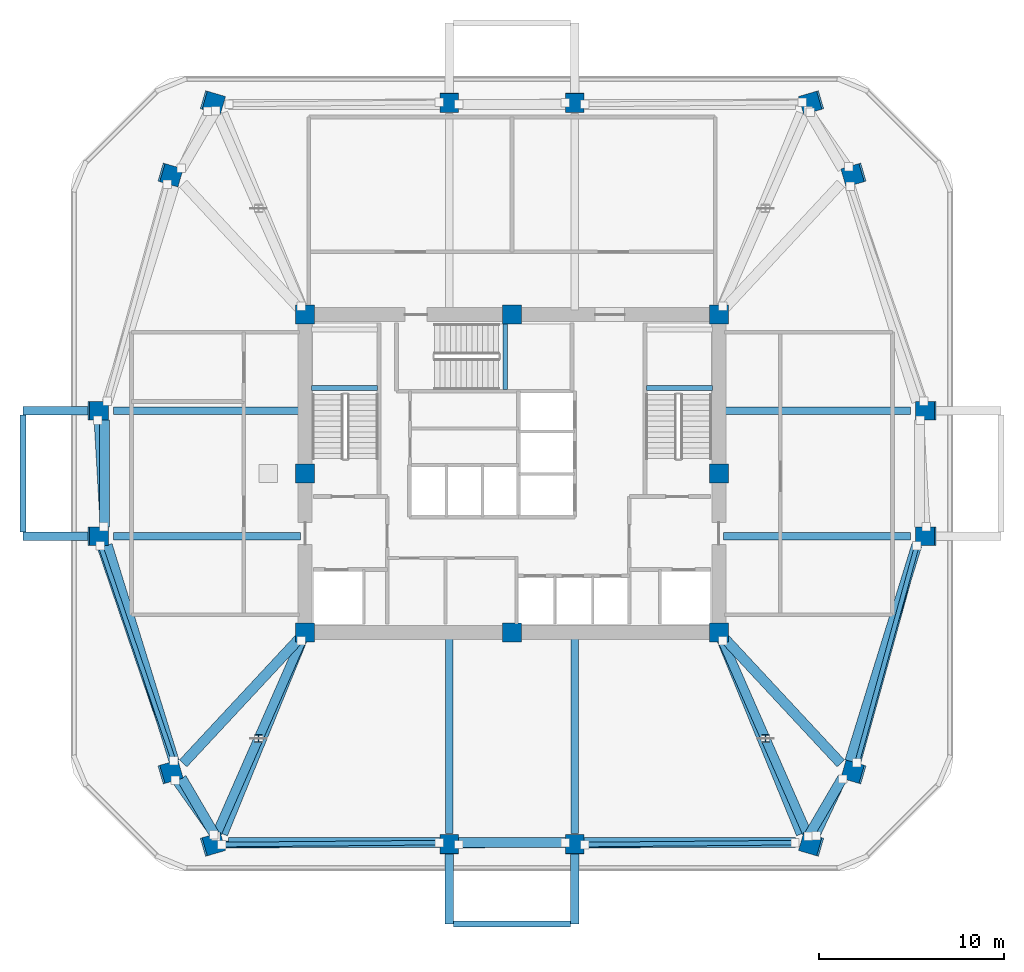
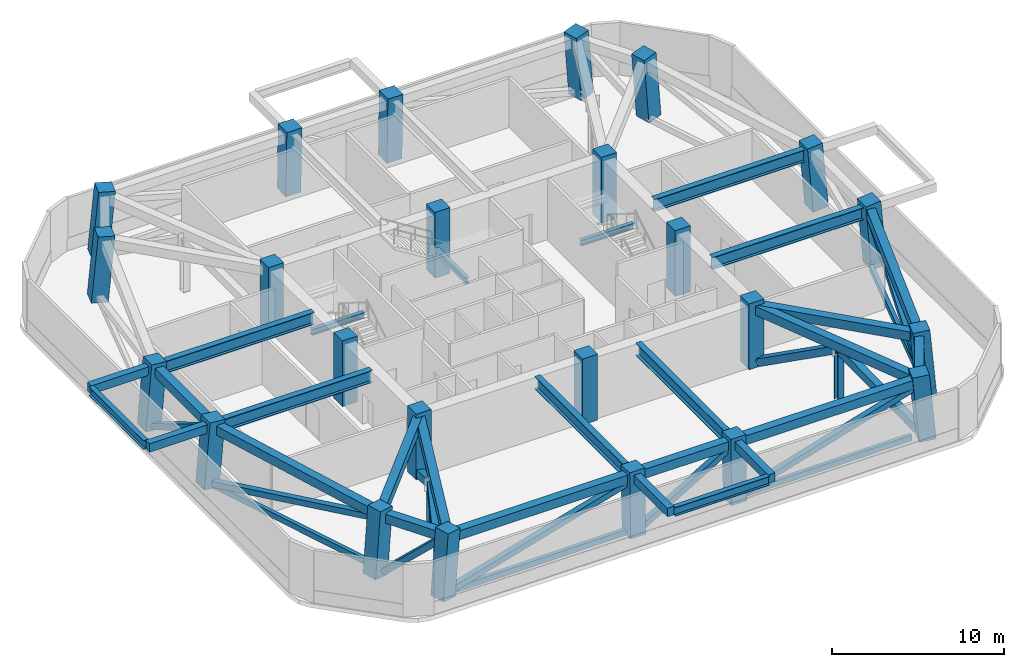
# One storey, part 1 of 8: 27 beams, 24 columns, 18 members.
"""IFC4 building model written with IfcOpenShell, lengths in metres."""

from ifc_helpers import new_model, si_unit, derived_unit, direction, frame, origin, origin_2d, place, context, subcontext, project, spatial, rectangle, hollow_rectangle, i_section, extrude, material, material_profile, profile_set, type_object, element, save


model = new_model("IFC4")

# Units and contexts
model_context = context("Model", 3, precision=1e-05, world=origin(), true_north=direction((0.0, 1.0)))
body_context = subcontext(model_context, "Body", "Model", "MODEL_VIEW")
ifc_project = project(units=[si_unit("LENGTHUNIT", "METRE"), si_unit("AREAUNIT", "SQUARE_METRE"), si_unit("VOLUMEUNIT", "CUBIC_METRE"), si_unit("PLANEANGLEUNIT", "RADIAN"), si_unit("MASSUNIT", "GRAM", prefix="KILO"), derived_unit("THERMALTRANSMITTANCEUNIT", [(si_unit("POWERUNIT", "WATT"), 1), (si_unit("LENGTHUNIT", "METRE"), -2), (si_unit("THERMODYNAMICTEMPERATUREUNIT", "KELVIN"), -1)])], contexts=[model_context])

# Site, building, storey
site_placement = place(None, origin())
site = spatial("IfcSite", under=ifc_project, at=site_placement, CompositionType="ELEMENT")
building_placement = place(site_placement, origin())
building = spatial("IfcBuilding", under=site, at=building_placement, Name="Koralith Skygarden Medical Center", CompositionType="ELEMENT")
storey_placement = place(building_placement, frame((0.0, 0.0, 124.3798828125)))
storey = spatial("IfcBuildingStorey", under=building, at=storey_placement, Name="L32", CompositionType="ELEMENT", Elevation=124.3798828125)

# Columns
ifc_material_1 = material(Name="Concrete C70/85", Category="concrete")
ifc_material_profile_1 = material_profile(ifc_material_1, rectangle(XDim=1.02001953125, YDim=1.02001953125, at=origin_2d()), Name="RC1020X1020")
ifc_profile_set_1 = profile_set([ifc_material_profile_1], Name="Concrete C70/85")
column_type_1 = type_object("IfcColumnType", Name="Core Mega-Column C70 RC1020", PredefinedType="COLUMN", material=ifc_profile_set_1)
for number, where, z_axis, x_axis, name in (
    (1, (25.800048828125, 17.300048828125, 0.0), (0.0, 0.0, 1.0), (1.0, 0.0, 0.0), "L32 Core Column CC-01"),
    (2, (37.0, 17.300048828125, 0.0), (0.0, 0.0, 1.0), (1.0, 0.0, 0.0), "L32 Core Column CC-02"),
    (3, (48.199951171875, 17.300048828125, 0.0), (0.0, 0.0, 1.0), (1.0, 0.0, 0.0), "L32 Core Column CC-03"),
    (4, (48.199951171875, 25.89990234375, 0.0), (0.0, 0.0, 1.0), (1.0, 0.0, 0.0), "L32 Core Column CC-04"),
    (5, (48.199951171875, 34.5, 0.0), (0.0, 0.0, 1.0), (1.0, 0.0, 0.0), "L32 Core Column CC-05"),
    (6, (37.0, 34.5, 0.0), (0.0, 0.0, 1.0), (1.0, 0.0, 0.0), "L32 Core Column CC-06"),
    (7, (25.800048828125, 34.5, 0.0), (0.0, 0.0, 1.0), (1.0, 0.0, 0.0), "L32 Core Column CC-07"),
    (8, (25.800048828125, 25.89990234375, 0.0), (0.0, 0.0, 1.0), (1.0, 0.0, 0.0), "L32 Core Column CC-08"),
):
    element("IfcColumn", number, at=place(storey_placement, frame(where, z_axis=z_axis, x_axis=x_axis)), inside=storey, type_object=column_type_1, Name=name, PredefinedType="COLUMN", context=body_context, shape_type="SweptSolid", body=[
        extrude(rectangle(XDim=1.02001953125, YDim=1.02001953125, at=origin_2d()), origin(), (0.0, 0.0, 1.0), 4.68017578125),
    ])
ifc_material_profile_2 = material_profile(ifc_material_1, rectangle(XDim=1.02001953125, YDim=1.02001953125, at=origin_2d()), Name="RC1020X1020")
ifc_profile_set_2 = profile_set([ifc_material_profile_2], Name="Concrete C70/85")
column_type_2 = type_object("IfcColumnType", Name="Zone 2 Waist-In Mega-Column C70 RC1020", PredefinedType="COLUMN", material=ifc_profile_set_2)
column_1_placement = place(storey_placement, frame((14.54296875, 22.5, 0.02099609375), z_axis=(0.084443076686, 0.0, 0.996428304897), x_axis=(0.0, 1.0, 0.0)))
element("IfcColumn", 9, at=column_1_placement, inside=storey, type_object=column_type_2, Name="L32 Perimeter Mega-Column MC-01", PredefinedType="COLUMN", context=body_context, shape_type="SweptSolid", body=[
    extrude(rectangle(XDim=1.02001953125, YDim=1.02001953125, at=origin_2d()), origin(), (0.0, 0.0, 1.0), 4.65478515625),
])
for number, where, z_axis, x_axis, name in (
    (10, (18.462890625, 9.72509765625, 0.02099609375), (0.084417322164, 0.024695999217, 0.996124401539), (-0.280778218045, 0.959772677394, 0.0), "L32 Perimeter Mega-Column MC-02"),
    (11, (20.7548828125, 5.804931640625, 0.02099609375), (0.084417322164, 0.024695999217, 0.996124401539), (-0.280778218045, 0.959772677394, 0.0), "L32 Perimeter Mega-Column MC-03"),
):
    element("IfcColumn", number, at=place(storey_placement, frame(where, z_axis=z_axis, x_axis=x_axis)), inside=storey, type_object=column_type_2, Name=name, PredefinedType="COLUMN", context=body_context, shape_type="SweptSolid", body=[
        extrude(rectangle(XDim=1.02001953125, YDim=1.02001953125, at=origin_2d()), origin(), (0.0, 0.0, 1.0), 4.65625),
    ])
for number, where, z_axis, x_axis, name in (
    (12, (33.60009765625, 5.804931640625, 0.02099609375), (0.0, 0.024784467693, 0.9996928179), (-1.0, 0.0, 0.0), "L32 Perimeter Mega-Column MC-04"),
    (13, (40.39990234375, 5.804931640625, 0.02099609375), (0.0, 0.024784467693, 0.9996928179), (-1.0, 0.0, 0.0), "L32 Perimeter Mega-Column MC-05"),
):
    element("IfcColumn", number, at=place(storey_placement, frame(where, z_axis=z_axis, x_axis=x_axis)), inside=storey, type_object=column_type_2, Name=name, PredefinedType="COLUMN", context=body_context, shape_type="SweptSolid", body=[
        extrude(rectangle(XDim=1.02001953125, YDim=1.02001953125, at=origin_2d()), origin(), (0.0, 0.0, 1.0), 4.6396484375),
    ])
for number, where, z_axis, x_axis, name in (
    (14, (53.2451171875, 5.804931640625, 0.02099609375), (-0.084417322164, 0.024695999217, 0.996124401539), (-0.280778218045, -0.959772677394, 0.0), "L32 Perimeter Mega-Column MC-06"),
    (15, (55.537109375, 9.72509765625, 0.02099609375), (-0.084417322164, 0.024695999217, 0.996124401539), (-0.280778218045, -0.959772677394, 0.0), "L32 Perimeter Mega-Column MC-07"),
):
    element("IfcColumn", number, at=place(storey_placement, frame(where, z_axis=z_axis, x_axis=x_axis)), inside=storey, type_object=column_type_2, Name=name, PredefinedType="COLUMN", context=body_context, shape_type="SweptSolid", body=[
        extrude(rectangle(XDim=1.02001953125, YDim=1.02001953125, at=origin_2d()), origin(), (0.0, 0.0, 1.0), 4.65625),
    ])
for number, where, z_axis, x_axis, name in (
    (16, (59.45703125, 22.5, 0.02099609375), (-0.084443076686, 0.0, 0.996428304897), (0.0, -1.0, 0.0), "L32 Perimeter Mega-Column MC-08"),
    (17, (59.45703125, 29.300048828125, 0.02099609375), (-0.084443076686, 0.0, 0.996428304897), (0.0, -1.0, 0.0), "L32 Perimeter Mega-Column MC-09"),
):
    element("IfcColumn", number, at=place(storey_placement, frame(where, z_axis=z_axis, x_axis=x_axis)), inside=storey, type_object=column_type_2, Name=name, PredefinedType="COLUMN", context=body_context, shape_type="SweptSolid", body=[
        extrude(rectangle(XDim=1.02001953125, YDim=1.02001953125, at=origin_2d()), origin(), (0.0, 0.0, 1.0), 4.65478515625),
    ])
for number, where, z_axis, x_axis, name in (
    (18, (55.537109375, 42.074951171875, 0.02099609375), (-0.084417322164, -0.024695999217, 0.996124401539), (0.280778218045, -0.959772677394, 0.0), "L32 Perimeter Mega-Column MC-10"),
    (19, (53.2451171875, 45.9951171875, 0.02099609375), (-0.084417212737, -0.024748400256, 0.996123110302), (0.281327215298, -0.959611899641, 0.0), "L32 Perimeter Mega-Column MC-11"),
):
    element("IfcColumn", number, at=place(storey_placement, frame(where, z_axis=z_axis, x_axis=x_axis)), inside=storey, type_object=column_type_2, Name=name, PredefinedType="COLUMN", context=body_context, shape_type="SweptSolid", body=[
        extrude(rectangle(XDim=1.02001953125, YDim=1.02001953125, at=origin_2d()), origin(), (0.0, 0.0, 1.0), 4.65625),
    ])
for number, where, z_axis, x_axis, name in (
    (20, (40.39990234375, 45.9951171875, 0.02099609375), (0.0, -0.024837056217, 0.999691512737), (1.0, 0.0, 0.0), "L32 Perimeter Mega-Column MC-12"),
    (21, (33.60009765625, 45.9951171875, 0.02099609375), (0.0, -0.024837056217, 0.999691512737), (1.0, 0.0, 0.0), "L32 Perimeter Mega-Column MC-13"),
):
    element("IfcColumn", number, at=place(storey_placement, frame(where, z_axis=z_axis, x_axis=x_axis)), inside=storey, type_object=column_type_2, Name=name, PredefinedType="COLUMN", context=body_context, shape_type="SweptSolid", body=[
        extrude(rectangle(XDim=1.02001953125, YDim=1.02001953125, at=origin_2d()), origin(), (0.0, 0.0, 1.0), 4.6396484375),
    ])
for number, where, z_axis, x_axis, name in (
    (22, (20.7548828125, 45.9951171875, 0.02099609375), (0.084417212737, -0.024748400256, 0.996123110302), (0.281327215298, 0.959611899641, 0.0), "L32 Perimeter Mega-Column MC-14"),
    (23, (18.462890625, 42.074951171875, 0.02099609375), (0.084417322164, -0.024695999217, 0.996124401539), (0.280778218045, 0.959772677394, 0.0), "L32 Perimeter Mega-Column MC-15"),
):
    element("IfcColumn", number, at=place(storey_placement, frame(where, z_axis=z_axis, x_axis=x_axis)), inside=storey, type_object=column_type_2, Name=name, PredefinedType="COLUMN", context=body_context, shape_type="SweptSolid", body=[
        extrude(rectangle(XDim=1.02001953125, YDim=1.02001953125, at=origin_2d()), origin(), (0.0, 0.0, 1.0), 4.65625),
    ])
column_2_placement = place(storey_placement, frame((14.54296875, 29.300048828125, 0.02099609375), z_axis=(0.084443076686, 0.0, 0.996428304897), x_axis=(0.0, 1.0, 0.0)))
element("IfcColumn", 24, at=column_2_placement, inside=storey, type_object=column_type_2, Name="L32 Perimeter Mega-Column MC-16", PredefinedType="COLUMN", context=body_context, shape_type="SweptSolid", body=[
    extrude(rectangle(XDim=1.02001953125, YDim=1.02001953125, at=origin_2d()), origin(), (0.0, 0.0, 1.0), 4.65478515625),
])

# Members
ifc_material_2 = material(Name="Steel ASTM A500 Grade C", Category="steel")
ifc_material_profile_3 = material_profile(ifc_material_2, hollow_rectangle(XDim=0.25, YDim=0.39990234375, WallThickness=0.01611328125, at=origin_2d()), Name="HSS400X250X16")
ifc_profile_set_3 = profile_set([ifc_material_profile_3], Name="Steel ASTM A500 Grade C")
member_type_1 = type_object("IfcMemberType", Name="Belt Truss Chord Member HSS400X250X16", PredefinedType="CHORD", material=ifc_profile_set_3)
member_1_placement = place(storey_placement, frame((14.714111328125, 21.998046875, 0.22021484375), z_axis=(0.322478132983, -0.946576913804, 0.0), x_axis=(0.946576913804, 0.322478132983, 0.0)))
element("IfcMember", 25, at=member_1_placement, inside=storey, type_object=member_type_1, Name="L32 Belt Truss Bottom Chord BTC-01", PredefinedType="CHORD", context=body_context, shape_type="SweptSolid", body=[
    extrude(hollow_rectangle(XDim=0.25, YDim=0.39990234375, WallThickness=0.01611328125, at=origin_2d()), origin(), (0.0, 0.0, 1.0), 12.31396484375),
])
member_2_placement = place(storey_placement, frame((21.284912109375, 5.81005859375, 0.22021484375), z_axis=(0.999960327416, 0.008907502088, 0.0), x_axis=(-0.008907502088, 0.999960327416, 0.0)))
element("IfcMember", 26, at=member_2_placement, inside=storey, type_object=member_type_1, Name="L32 Belt Truss Bottom Chord BTC-03", PredefinedType="CHORD", context=body_context, shape_type="SweptSolid", body=[
    extrude(hollow_rectangle(XDim=0.25, YDim=0.39990234375, WallThickness=0.01611328125, at=origin_2d()), origin(), (0.0, 0.0, 1.0), 11.78564453125),
])
member_3_placement = place(storey_placement, frame((40.929931640625, 5.81005859375, 0.22021484375), z_axis=(0.999957542682, 0.009214815982, 0.0), x_axis=(-0.009214815982, 0.999957542682, 0.0)))
element("IfcMember", 27, at=member_3_placement, inside=storey, type_object=member_type_1, Name="L32 Belt Truss Bottom Chord BTC-05", PredefinedType="CHORD", context=body_context, shape_type="SweptSolid", body=[
    extrude(hollow_rectangle(XDim=0.25, YDim=0.39990234375, WallThickness=0.01611328125, at=origin_2d()), origin(), (0.0, 0.0, 1.0), 11.392578125),
])
member_4_placement = place(storey_placement, frame((55.677978515625, 10.236083984375, 0.22021484375), z_axis=(0.266152280605, 0.963930995211, 0.0), x_axis=(-0.963930995211, 0.266152280605, 0.0)))
element("IfcMember", 28, at=member_4_placement, inside=storey, type_object=member_type_1, Name="L32 Belt Truss Bottom Chord BTC-07", PredefinedType="CHORD", context=body_context, shape_type="SweptSolid", body=[
    extrude(hollow_rectangle(XDim=0.25, YDim=0.39990234375, WallThickness=0.01611328125, at=origin_2d()), origin(), (0.0, 0.0, 1.0), 12.192626953125),
])
ifc_material_profile_4 = material_profile(ifc_material_2, hollow_rectangle(XDim=0.39990234375, YDim=0.39990234375, WallThickness=0.01806640625, at=origin_2d()), Name="HSS400X400X18")
ifc_profile_set_4 = profile_set([ifc_material_profile_4], Name="Steel ASTM A500 Grade C")
member_type_2 = type_object("IfcMemberType", Name="Belt Truss Diagonal HSS400X400X18", PredefinedType="BRACE", material=ifc_profile_set_4)
member_5_placement = place(storey_placement, frame((14.714111328125, 21.998046875, 0.35009765625), z_axis=(0.311295778598, -0.913753111443, 0.261055912701), x_axis=(0.946576913804, 0.322478132983, 0.0)))
element("IfcMember", 29, at=member_5_placement, inside=storey, type_object=member_type_2, Name="L32 Perimeter Belt Truss Diagonal BTD-01", PredefinedType="BRACE", context=body_context, shape_type="SweptSolid", body=[
    extrude(hollow_rectangle(XDim=0.39990234375, YDim=0.39990234375, WallThickness=0.01806640625, at=origin_2d()), origin(), (0.0, 0.0, 1.0), 12.756103515625),
])
member_6_placement = place(storey_placement, frame((18.76904296875, 9.2919921875, 0.35009765625), z_axis=(0.422935288814, -0.599610765133, 0.679406116997), x_axis=(0.817172870906, 0.57639266048, 0.0)))
element("IfcMember", 30, at=member_6_placement, inside=storey, type_object=member_type_2, Name="L32 Perimeter Belt Truss Diagonal BTD-02", PredefinedType="BRACE", context=body_context, shape_type="SweptSolid", body=[
    extrude(hollow_rectangle(XDim=0.39990234375, YDim=0.39990234375, WallThickness=0.01806640625, at=origin_2d()), origin(), (0.0, 0.0, 1.0), 4.9013671875),
])
member_7_placement = place(storey_placement, frame((21.284912109375, 5.81005859375, 0.35009765625), z_axis=(0.962284935412, 0.008571895141, 0.271908487716), x_axis=(-0.008907502088, 0.999960327416, 0.0)))
element("IfcMember", 31, at=member_7_placement, inside=storey, type_object=member_type_2, Name="L32 Perimeter Belt Truss Diagonal BTD-03", PredefinedType="BRACE", context=body_context, shape_type="SweptSolid", body=[
    extrude(hollow_rectangle(XDim=0.39990234375, YDim=0.39990234375, WallThickness=0.01806640625, at=origin_2d()), origin(), (0.0, 0.0, 1.0), 12.2470703125),
])
member_8_placement = place(storey_placement, frame((34.1298828125, 5.81396484375, 0.35009765625), z_axis=(0.864890405973, 0.014603670091, 0.501748262056), x_axis=(-0.016882588429, 0.999857478948, 0.0)))
element("IfcMember", 32, at=member_8_placement, inside=storey, type_object=member_type_2, Name="L32 Perimeter Belt Truss Diagonal BTD-04", PredefinedType="BRACE", context=body_context, shape_type="SweptSolid", body=[
    extrude(hollow_rectangle(XDim=0.39990234375, YDim=0.39990234375, WallThickness=0.01806640625, at=origin_2d()), origin(), (0.0, 0.0, 1.0), 6.636962890625),
])
member_9_placement = place(storey_placement, frame((40.929931640625, 5.81005859375, 0.35009765625), z_axis=(0.959795026715, 0.008844710074, 0.280562431194), x_axis=(-0.009214815982, 0.999957542682, 0.0)))
element("IfcMember", 33, at=member_9_placement, inside=storey, type_object=member_type_2, Name="L32 Perimeter Belt Truss Diagonal BTD-05", PredefinedType="BRACE", context=body_context, shape_type="SweptSolid", body=[
    extrude(hollow_rectangle(XDim=0.39990234375, YDim=0.39990234375, WallThickness=0.01806640625, at=origin_2d()), origin(), (0.0, 0.0, 1.0), 11.869384765625),
])
member_10_placement = place(storey_placement, frame((53.470947265625, 6.284912109375, 0.35009765625), z_axis=(0.304113457701, 0.646298821192, 0.699866300497), x_axis=(-0.904833353558, 0.425765900805, 0.0)))
element("IfcMember", 34, at=member_10_placement, inside=storey, type_object=member_type_2, Name="L32 Perimeter Belt Truss Diagonal BTD-06", PredefinedType="BRACE", context=body_context, shape_type="SweptSolid", body=[
    extrude(hollow_rectangle(XDim=0.39990234375, YDim=0.39990234375, WallThickness=0.01806640625, at=origin_2d()), origin(), (0.0, 0.0, 1.0), 4.758056640625),
])
member_11_placement = place(storey_placement, frame((55.677978515625, 10.236083984375, 0.35009765625), z_axis=(0.256748448481, 0.929872879165, 0.263470421101), x_axis=(-0.963930995211, 0.266152280605, 0.0)))
element("IfcMember", 35, at=member_11_placement, inside=storey, type_object=member_type_2, Name="L32 Perimeter Belt Truss Diagonal BTD-07", PredefinedType="BRACE", context=body_context, shape_type="SweptSolid", body=[
    extrude(hollow_rectangle(XDim=0.39990234375, YDim=0.39990234375, WallThickness=0.01806640625, at=origin_2d()), origin(), (0.0, 0.0, 1.0), 12.639404296875),
])
member_12_placement = place(storey_placement, frame((14.573974609375, 28.77099609375, 0.35009765625), z_axis=(0.049812839312, -0.863973575066, 0.501067203703), x_axis=(0.99834205325, 0.057559922795, 0.0)))
element("IfcMember", 36, at=member_12_placement, inside=storey, type_object=member_type_2, Name="L32 Perimeter Belt Truss Diagonal BTD-16", PredefinedType="BRACE", context=body_context, shape_type="SweptSolid", body=[
    extrude(hollow_rectangle(XDim=0.39990234375, YDim=0.39990234375, WallThickness=0.01806640625, at=origin_2d()), origin(), (0.0, 0.0, 1.0), 6.64599609375),
])

# Beams
ifc_material_3 = material(Name="Steel ASTM A992 Grade 50", Category="steel")
ifc_material_profile_5 = material_profile(ifc_material_3, i_section(OverallWidth=0.326904296875, OverallDepth=0.6220703125, WebThickness=0.015380859375, FlangeThickness=0.0244140625, at=origin_2d()), Name="W24X131")
ifc_profile_set_5 = profile_set([ifc_material_profile_5], Name="Steel ASTM A992 Grade 50")
beam_type_1 = type_object("IfcBeamType", Name="Cantilever Tie Beam W24X131", PredefinedType="BEAM", material=ifc_profile_set_5)
beam_1_placement = place(storey_placement, frame((33.820068359375, 1.510009765625, 4.109130859375), z_axis=(1.0, 0.0, 0.0), x_axis=(0.0, 1.0, 0.0)))
element("IfcBeam", 37, at=beam_1_placement, inside=storey, type_object=beam_type_1, Name="L33 S Balcony Tip Tie Beam", PredefinedType="BEAM", context=body_context, shape_type="SweptSolid", body=[
    extrude(i_section(OverallWidth=0.326904296875, OverallDepth=0.6220703125, WebThickness=0.015380859375, FlangeThickness=0.0244140625, at=origin_2d()), origin(), (0.0, 0.0, 1.0), 6.35986328125),
])
beam_2_placement = place(storey_placement, frame((10.52587890625, 22.719970703125, 4.109130859375), z_axis=(0.0, 1.0, 0.0), x_axis=(-1.0, 0.0, 0.0)))
element("IfcBeam", 38, at=beam_2_placement, inside=storey, type_object=beam_type_1, Name="L33 W Balcony Tip Tie Beam", PredefinedType="BEAM", context=body_context, shape_type="SweptSolid", body=[
    extrude(i_section(OverallWidth=0.326904296875, OverallDepth=0.6220703125, WebThickness=0.015380859375, FlangeThickness=0.0244140625, at=origin_2d()), origin(), (0.0, 0.0, 1.0), 6.360107421875),
])
ifc_material_profile_6 = material_profile(ifc_material_3, i_section(OverallWidth=0.260009765625, OverallDepth=0.4150390625, WebThickness=0.010009765625, FlangeThickness=0.016845703125, at=origin_2d()), Name="W16X67")
ifc_profile_set_6 = profile_set([ifc_material_profile_6], Name="Steel ASTM A992 Grade 50")
beam_type_2 = type_object("IfcBeamType", Name="Clinical Floor Joist W16X67", PredefinedType="JOIST", material=ifc_profile_set_6)
for number, where, z_axis, x_axis, name in (
    (39, (26.155029296875, 30.530029296875, 1.93212890625), (1.0, 0.0, 0.0), (0.0, 1.0, 0.0), "L32 Stair ST1 Half-Landing Support Beam 1A"),
    (40, (44.280029296875, 30.530029296875, 1.93212890625), (1.0, 0.0, 0.0), (0.0, 1.0, 0.0), "L32 Stair ST2 Half-Landing Support Beam 1A"),
):
    element("IfcBeam", number, at=place(storey_placement, frame(where, z_axis=z_axis, x_axis=x_axis)), inside=storey, type_object=beam_type_2, Name=name, PredefinedType="JOIST", context=body_context, shape_type="SweptSolid", body=[
        extrude(i_section(OverallWidth=0.260009765625, OverallDepth=0.4150390625, WebThickness=0.010009765625, FlangeThickness=0.016845703125, at=origin_2d()), origin(), (0.0, 0.0, 1.0), 3.56494140625),
    ])
beam_3_placement = place(storey_placement, frame((36.6298828125, 30.43994140625, 1.93212890625), z_axis=(0.0, 1.0, 0.0), x_axis=(-1.0, 0.0, 0.0)))
element("IfcBeam", 41, at=beam_3_placement, inside=storey, type_object=beam_type_2, Name="L32 Stair ST3 Half-Landing Support Beam 1A", PredefinedType="JOIST", context=body_context, shape_type="SweptSolid", body=[
    extrude(i_section(OverallWidth=0.260009765625, OverallDepth=0.4150390625, WebThickness=0.010009765625, FlangeThickness=0.016845703125, at=origin_2d()), origin(), (0.0, 0.0, 1.0), 3.705078125),
])
ifc_material_profile_7 = material_profile(ifc_material_3, i_section(OverallWidth=0.39990234375, OverallDepth=0.862060546875, WebThickness=0.019775390625, FlangeThickness=0.032470703125, at=origin_2d()), Name="W33X221")
ifc_profile_set_7 = profile_set([ifc_material_profile_7], Name="Steel ASTM A992 Grade 50")
beam_type_3 = type_object("IfcBeamType", Name="Outrigger Chord Girder W33X221", PredefinedType="BEAM", material=ifc_profile_set_7)
beam_4_placement = place(storey_placement, frame((25.550048828125, 22.5, 3.94921875), z_axis=(-1.0, 0.0, 0.0), x_axis=(0.0, -1.0, 0.0)))
element("IfcBeam", 42, at=beam_4_placement, inside=storey, type_object=beam_type_3, Name="L32 Radial Collector Beam RB-01", PredefinedType="BEAM", context=body_context, shape_type="SweptSolid", body=[
    extrude(i_section(OverallWidth=0.39990234375, OverallDepth=0.862060546875, WebThickness=0.019775390625, FlangeThickness=0.032470703125, at=origin_2d()), origin(), (0.0, 0.0, 1.0), 10.114013671875),
])
for number, where, z_axis, x_axis, name in (
    (43, (33.60009765625, 17.050048828125, 3.94921875), (0.0, -1.0, 0.0), (1.0, 0.0, 0.0), "L32 Radial Collector Beam RB-04"),
    (44, (40.39990234375, 17.050048828125, 3.94921875), (0.0, -1.0, 0.0), (1.0, 0.0, 0.0), "L32 Radial Collector Beam RB-05"),
):
    element("IfcBeam", number, at=place(storey_placement, frame(where, z_axis=z_axis, x_axis=x_axis)), inside=storey, type_object=beam_type_3, Name=name, PredefinedType="BEAM", context=body_context, shape_type="SweptSolid", body=[
        extrude(i_section(OverallWidth=0.39990234375, OverallDepth=0.862060546875, WebThickness=0.019775390625, FlangeThickness=0.032470703125, at=origin_2d()), origin(), (0.0, 0.0, 1.0), 10.630126953125),
    ])
for number, where, z_axis, x_axis, name in (
    (45, (48.449951171875, 22.5, 3.94921875), (1.0, 0.0, 0.0), (0.0, 1.0, 0.0), "L32 Radial Collector Beam RB-08"),
    (46, (48.449951171875, 29.300048828125, 3.94921875), (1.0, 0.0, 0.0), (0.0, 1.0, 0.0), "L32 Radial Collector Beam RB-09"),
    (47, (25.550048828125, 29.300048828125, 3.94921875), (-1.0, 0.0, 0.0), (0.0, -1.0, 0.0), "L32 Radial Collector Beam RB-16"),
):
    element("IfcBeam", number, at=place(storey_placement, frame(where, z_axis=z_axis, x_axis=x_axis)), inside=storey, type_object=beam_type_3, Name=name, PredefinedType="BEAM", context=body_context, shape_type="SweptSolid", body=[
        extrude(i_section(OverallWidth=0.39990234375, OverallDepth=0.862060546875, WebThickness=0.019775390625, FlangeThickness=0.032470703125, at=origin_2d()), origin(), (0.0, 0.0, 1.0), 10.114013671875),
    ])

# Members
ifc_material_profile_8 = material_profile(ifc_material_2, hollow_rectangle(XDim=0.5, YDim=0.5, WallThickness=0.02197265625, at=origin_2d()), Name="HSS500X500X22")
ifc_profile_set_8 = profile_set([ifc_material_profile_8], Name="Steel ASTM A500 Grade C")
member_type_3 = type_object("IfcMemberType", Name="Outrigger Primary Diagonal HSS500X500X22", PredefinedType="BRACE", material=ifc_profile_set_8)
member_13_placement = place(storey_placement, frame((25.594970703125, 16.8330078125, 0.35009765625), z_axis=(-0.348046859952, -0.792985214623, 0.500037831236), x_axis=(0.91568354971, -0.401900033329, 0.0)))
element("IfcMember", 48, at=member_13_placement, inside=storey, type_object=member_type_3, Name="L32 Outrigger Truss Diagonal ORD-01A", PredefinedType="BRACE", context=body_context, shape_type="SweptSolid", body=[
    extrude(hollow_rectangle(XDim=0.5, YDim=0.5, WallThickness=0.02197265625, at=origin_2d()), origin(), (0.0, 0.0, 1.0), 6.65966796875),
])
member_14_placement = place(storey_placement, frame((23.277099609375, 11.552001953125, 3.68017578125), z_axis=(-0.347990664751, -0.792961132291, -0.500115126668), x_axis=(0.915702938378, -0.401855855558, 0.0)))
element("IfcMember", 49, at=member_14_placement, inside=storey, type_object=member_type_3, Name="L32 Outrigger Truss Diagonal ORD-01B", PredefinedType="BRACE", context=body_context, shape_type="SweptSolid", body=[
    extrude(hollow_rectangle(XDim=0.5, YDim=0.5, WallThickness=0.02197265625, at=origin_2d()), origin(), (0.0, 0.0, 1.0), 6.65869140625),
])
member_15_placement = place(storey_placement, frame((48.405029296875, 16.8330078125, 0.35009765625), z_axis=(0.347917974738, -0.79302568088, 0.500063348306), x_axis=(0.915745857893, 0.401758041302, 0.0)))
element("IfcMember", 50, at=member_15_placement, inside=storey, type_object=member_type_3, Name="L32 Outrigger Truss Diagonal ORD-03A", PredefinedType="BRACE", context=body_context, shape_type="SweptSolid", body=[
    extrude(hollow_rectangle(XDim=0.5, YDim=0.5, WallThickness=0.02197265625, at=origin_2d()), origin(), (0.0, 0.0, 1.0), 6.659423828125),
])
member_16_placement = place(storey_placement, frame((50.721923828125, 11.552001953125, 3.68017578125), z_axis=(0.348119555889, -0.792920656685, -0.500089598982), x_axis=(0.915640609345, 0.401997853874, 0.0)))
element("IfcMember", 51, at=member_16_placement, inside=storey, type_object=member_type_3, Name="L32 Outrigger Truss Diagonal ORD-03B", PredefinedType="BRACE", context=body_context, shape_type="SweptSolid", body=[
    extrude(hollow_rectangle(XDim=0.5, YDim=0.5, WallThickness=0.02197265625, at=origin_2d()), origin(), (0.0, 0.0, 1.0), 6.658935546875),
])
ifc_material_profile_9 = material_profile(ifc_material_3, i_section(OverallWidth=0.406005859375, OverallDepth=0.416015625, WebThickness=0.02490234375, FlangeThickness=0.0400390625, at=origin_2d()), Name="W14X257")
ifc_profile_set_9 = profile_set([ifc_material_profile_9], Name="Steel ASTM A992 Grade 50")
member_type_4 = type_object("IfcMemberType", Name="Outrigger Web Strut Post W14X257", PredefinedType="POST", material=ifc_profile_set_9)
for number, where, z_axis, x_axis, name in (
    (52, (23.277099609375, 11.552001953125, 0.0), (0.0, 0.0, 1.0), (1.0, 0.0, 0.0), "L32 Outrigger Truss Web Post ORP-01"),
    (53, (50.721923828125, 11.552001953125, 0.0), (0.0, 0.0, 1.0), (1.0, 0.0, 0.0), "L32 Outrigger Truss Web Post ORP-03"),
):
    element("IfcMember", number, at=place(storey_placement, frame(where, z_axis=z_axis, x_axis=x_axis)), inside=storey, type_object=member_type_4, Name=name, PredefinedType="POST", context=body_context, shape_type="SweptSolid", body=[
        extrude(i_section(OverallWidth=0.406005859375, OverallDepth=0.416015625, WebThickness=0.02490234375, FlangeThickness=0.0400390625, at=origin_2d()), origin(), (0.0, 0.0, 1.0), 3.68017578125),
    ])

# Beams
ifc_material_4 = material(Name="Concrete C45/55", Category="concrete")
ifc_material_profile_10 = material_profile(ifc_material_4, rectangle(XDim=0.449951171875, YDim=0.60009765625, at=origin_2d()), Name="RCB450X600")
ifc_profile_set_10 = profile_set([ifc_material_profile_10], Name="Concrete C45/55")
beam_type_4 = type_object("IfcBeamType", Name="Planted Balcony Cantilever Beam RCB450X600", PredefinedType="BEAM", material=ifc_profile_set_10)
for number, where, z_axis, x_axis, name in (
    (54, (33.60009765625, 5.429931640625, 4.1201171875), (0.0, -1.0, 0.0), (1.0, 0.0, 0.0), "L33 S Balcony Cantilever Beam A"),
    (55, (40.39990234375, 5.429931640625, 4.1201171875), (0.0, -1.0, 0.0), (1.0, 0.0, 0.0), "L33 S Balcony Cantilever Beam B"),
):
    element("IfcBeam", number, at=place(storey_placement, frame(where, z_axis=z_axis, x_axis=x_axis)), inside=storey, type_object=beam_type_4, Name=name, PredefinedType="BEAM", context=body_context, shape_type="SweptSolid", body=[
        extrude(rectangle(XDim=0.449951171875, YDim=0.60009765625, at=origin_2d()), origin(), (0.0, 0.0, 1.0), 3.919921875),
    ])
for number, where, z_axis, x_axis, name in (
    (56, (14.446044921875, 22.5, 4.1201171875), (-1.0, 0.0, 0.0), (0.0, -1.0, 0.0), "L33 W Balcony Cantilever Beam A"),
    (57, (14.446044921875, 29.300048828125, 4.1201171875), (-1.0, 0.0, 0.0), (0.0, -1.0, 0.0), "L33 W Balcony Cantilever Beam B"),
):
    element("IfcBeam", number, at=place(storey_placement, frame(where, z_axis=z_axis, x_axis=x_axis)), inside=storey, type_object=beam_type_4, Name=name, PredefinedType="BEAM", context=body_context, shape_type="SweptSolid", body=[
        extrude(rectangle(XDim=0.449951171875, YDim=0.60009765625, at=origin_2d()), origin(), (0.0, 0.0, 1.0), 3.920166015625),
    ])
ifc_material_profile_11 = material_profile(ifc_material_4, rectangle(XDim=0.550048828125, YDim=0.639892578125, at=origin_2d()), Name="RCB550X640")
ifc_profile_set_11 = profile_set([ifc_material_profile_11], Name="Concrete C45/55")
beam_type_5 = type_object("IfcBeamType", Name="Radial Collector Beam RCB550X640", PredefinedType="BEAM", material=ifc_profile_set_11)
beam_5_placement = place(storey_placement, frame((25.6298828125, 17.116943359375, 4.06005859375), z_axis=(-0.681338280985, -0.731968678882, 0.0), x_axis=(0.731968678882, -0.681338280985, 0.0)))
element("IfcBeam", 58, at=beam_5_placement, inside=storey, type_object=beam_type_5, Name="L32 Radial Collector Beam RB-02", PredefinedType="BEAM", context=body_context, shape_type="SweptSolid", body=[
    extrude(rectangle(XDim=0.550048828125, YDim=0.639892578125, at=origin_2d()), origin(), (0.0, 0.0, 1.0), 9.44140625),
])
for number, where, z_axis, x_axis, name in (
    (59, (25.705078125, 17.069091796875, 4.06005859375), (-0.378380851776, -0.925650004596, 0.0), (0.925650004596, -0.378380851776, 0.0), "L32 Radial Collector Beam RB-03"),
    (60, (48.294921875, 17.069091796875, 4.06005859375), (0.378380851776, -0.925650004596, 0.0), (0.925650004596, 0.378380851776, 0.0), "L32 Radial Collector Beam RB-06"),
):
    element("IfcBeam", number, at=place(storey_placement, frame(where, z_axis=z_axis, x_axis=x_axis)), inside=storey, type_object=beam_type_5, Name=name, PredefinedType="BEAM", context=body_context, shape_type="SweptSolid", body=[
        extrude(rectangle(XDim=0.550048828125, YDim=0.639892578125, at=origin_2d()), origin(), (0.0, 0.0, 1.0), 11.54443359375),
    ])
beam_6_placement = place(storey_placement, frame((48.3701171875, 17.116943359375, 4.06005859375), z_axis=(0.681338280985, -0.731968678882, 0.0), x_axis=(0.731968678882, 0.681338280985, 0.0)))
element("IfcBeam", 61, at=beam_6_placement, inside=storey, type_object=beam_type_5, Name="L32 Radial Collector Beam RB-07", PredefinedType="BEAM", context=body_context, shape_type="SweptSolid", body=[
    extrude(rectangle(XDim=0.550048828125, YDim=0.639892578125, at=origin_2d()), origin(), (0.0, 0.0, 1.0), 9.44140625),
])
ifc_material_profile_12 = material_profile(ifc_material_4, rectangle(XDim=0.550048828125, YDim=0.639892578125, at=origin_2d()), Name="RCB550X640")
ifc_profile_set_12 = profile_set([ifc_material_profile_12], Name="Concrete C45/55")
beam_type_6 = type_object("IfcBeamType", Name="Zone 2-3 Spandrel Beam RCB550X640", PredefinedType="SPANDREL", material=ifc_profile_set_12)
beam_7_placement = place(storey_placement, frame((15.083984375, 22.02197265625, 4.06005859375), z_axis=(0.295788069516, -0.955253588285, 0.0), x_axis=(0.955253588285, 0.295788069516, 0.0)))
element("IfcBeam", 62, at=beam_7_placement, inside=storey, type_object=beam_type_6, Name="L32 Perimeter Spandrel Beam SP-01", PredefinedType="SPANDREL", context=body_context, shape_type="SweptSolid", body=[
    extrude(rectangle(XDim=0.550048828125, YDim=0.639892578125, at=origin_2d()), origin(), (0.0, 0.0, 1.0), 12.252197265625),
])
beam_8_placement = place(storey_placement, frame((19.10791015625, 9.407958984375, 4.06005859375), z_axis=(0.50502386975, -0.863105376523, 0.0), x_axis=(0.863105376523, 0.50502386975, 0.0)))
element("IfcBeam", 63, at=beam_8_placement, inside=storey, type_object=beam_type_6, Name="L32 Perimeter Spandrel Beam SP-02", PredefinedType="SPANDREL", context=body_context, shape_type="SweptSolid", body=[
    extrude(rectangle(XDim=0.550048828125, YDim=0.639892578125, at=origin_2d()), origin(), (0.0, 0.0, 1.0), 3.54052734375),
])
beam_9_placement = place(storey_placement, frame((21.64794921875, 5.919921875, 4.06005859375), z_axis=(1.0, 0.0, 0.0), x_axis=(0.0, 1.0, 0.0)))
element("IfcBeam", 64, at=beam_9_placement, inside=storey, type_object=beam_type_6, Name="L32 Perimeter Spandrel Beam SP-03", PredefinedType="SPANDREL", context=body_context, shape_type="SweptSolid", body=[
    extrude(rectangle(XDim=0.550048828125, YDim=0.639892578125, at=origin_2d()), origin(), (0.0, 0.0, 1.0), 11.4521484375),
])
beam_10_placement = place(storey_placement, frame((34.10009765625, 5.919921875, 4.06005859375), z_axis=(1.0, 0.0, 0.0), x_axis=(0.0, 1.0, 0.0)))
element("IfcBeam", 65, at=beam_10_placement, inside=storey, type_object=beam_type_6, Name="L32 Perimeter Spandrel Beam SP-04", PredefinedType="SPANDREL", context=body_context, shape_type="SweptSolid", body=[
    extrude(rectangle(XDim=0.550048828125, YDim=0.639892578125, at=origin_2d()), origin(), (0.0, 0.0, 1.0), 5.7998046875),
])
beam_11_placement = place(storey_placement, frame((40.89990234375, 5.919921875, 4.06005859375), z_axis=(1.0, 0.0, 0.0), x_axis=(0.0, 1.0, 0.0)))
element("IfcBeam", 66, at=beam_11_placement, inside=storey, type_object=beam_type_6, Name="L32 Perimeter Spandrel Beam SP-05", PredefinedType="SPANDREL", context=body_context, shape_type="SweptSolid", body=[
    extrude(rectangle(XDim=0.550048828125, YDim=0.639892578125, at=origin_2d()), origin(), (0.0, 0.0, 1.0), 11.4521484375),
])
beam_12_placement = place(storey_placement, frame((53.10400390625, 6.35205078125, 4.06005859375), z_axis=(0.50502386975, 0.863105376523, 0.0), x_axis=(-0.863105376523, 0.50502386975, 0.0)))
element("IfcBeam", 67, at=beam_12_placement, inside=storey, type_object=beam_type_6, Name="L32 Perimeter Spandrel Beam SP-06", PredefinedType="SPANDREL", context=body_context, shape_type="SweptSolid", body=[
    extrude(rectangle(XDim=0.550048828125, YDim=0.639892578125, at=origin_2d()), origin(), (0.0, 0.0, 1.0), 3.54052734375),
])
beam_13_placement = place(storey_placement, frame((55.2919921875, 10.318115234375, 4.06005859375), z_axis=(0.295788069516, 0.955253588285, 0.0), x_axis=(-0.955253588285, 0.295788069516, 0.0)))
element("IfcBeam", 68, at=beam_13_placement, inside=storey, type_object=beam_type_6, Name="L32 Perimeter Spandrel Beam SP-07", PredefinedType="SPANDREL", context=body_context, shape_type="SweptSolid", body=[
    extrude(rectangle(XDim=0.550048828125, YDim=0.639892578125, at=origin_2d()), origin(), (0.0, 0.0, 1.0), 12.252197265625),
])
beam_14_placement = place(storey_placement, frame((14.93603515625, 28.800048828125, 4.06005859375), z_axis=(0.0, -1.0, 0.0), x_axis=(1.0, 0.0, 0.0)))
element("IfcBeam", 69, at=beam_14_placement, inside=storey, type_object=beam_type_6, Name="L32 Perimeter Spandrel Beam SP-16", PredefinedType="SPANDREL", context=body_context, shape_type="SweptSolid", body=[
    extrude(rectangle(XDim=0.550048828125, YDim=0.639892578125, at=origin_2d()), origin(), (0.0, 0.0, 1.0), 5.800048828125),
])

save(model, "model.ifc")
